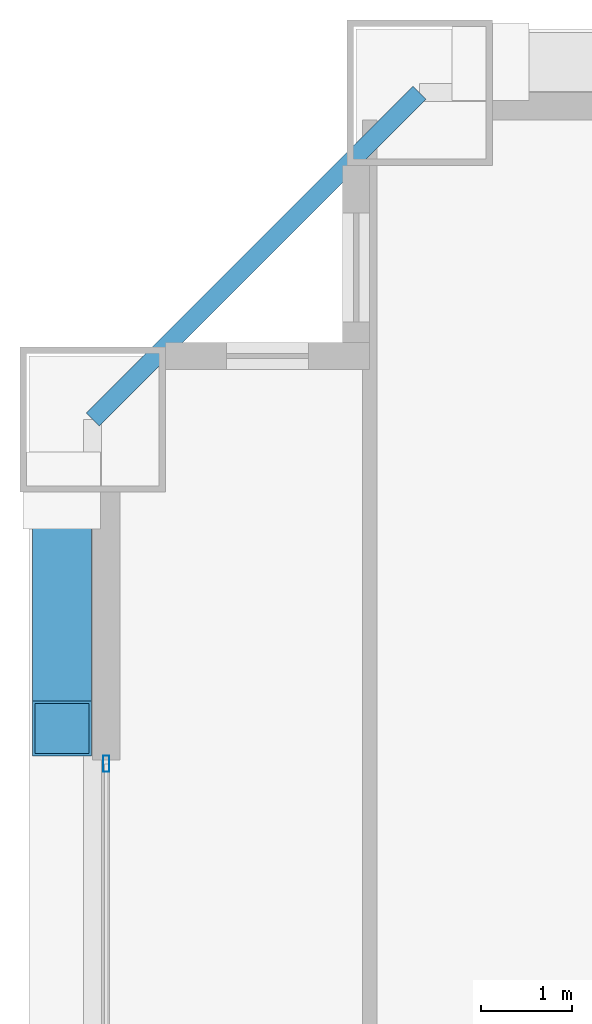
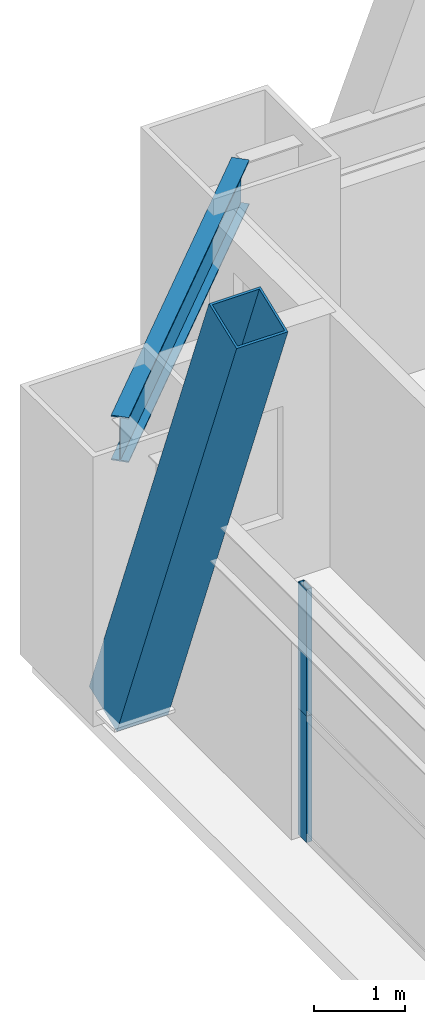
# One storey, part 25 of 43: 3 members, 1 beam, 1 element without a shape of its own.
"""IFC4 building model written with IfcOpenShell, lengths in metres."""

from ifc_helpers import new_model, si_unit, direction, frame, origin, origin_2d, place, context, subcontext, project, spatial, hollow_rectangle, i_section, extrude, source, transform, mapped, material, layer, layer_set, material_profile, profile_set, type_object, element, aggregate, save


model = new_model("IFC4")

# Units and contexts
model_context = context("Model", 3, precision=1e-05, world=origin(), true_north=direction((0.0, 1.0)))
body_context = subcontext(model_context, "Body", "Model", "MODEL_VIEW")
ifc_project = project(units=[si_unit("LENGTHUNIT", "METRE"), si_unit("AREAUNIT", "SQUARE_METRE"), si_unit("VOLUMEUNIT", "CUBIC_METRE"), si_unit("PLANEANGLEUNIT", "RADIAN"), si_unit("MASSUNIT", "GRAM", prefix="KILO"), si_unit("THERMODYNAMICTEMPERATUREUNIT", "KELVIN"), si_unit("POWERUNIT", "WATT")], contexts=[model_context])

# Site, building, storey
site_placement = place(None, origin())
site = spatial("IfcSite", under=ifc_project, at=site_placement, CompositionType="ELEMENT")
building_placement = place(site_placement, origin())
building = spatial("IfcBuilding", under=site, at=building_placement, Name="Yuzanri Waterfront Tower", CompositionType="ELEMENT")
storey_placement = place(building_placement, frame((0.0, 0.0, 108.199951171875)))
storey = spatial("IfcBuildingStorey", under=building, at=storey_placement, Name="L28", CompositionType="ELEMENT", Elevation=108.199951171875)

# Beam
ifc_material_1 = material(Name="Steel Q355B", Category="steel")
ifc_material_profile_1 = material_profile(ifc_material_1, i_section(OverallWidth=0.199951171875, OverallDepth=0.60009765625, WebThickness=0.010986328125, FlangeThickness=0.01708984375, at=origin_2d()), Name="HN 600x200x11x17")
ifc_profile_set_1 = profile_set([ifc_material_profile_1], Name="Steel Q355B")
beam_type = type_object("IfcBeamType", Name="Perimeter Spandrel Q355B HN 600x200", PredefinedType="SPANDREL", material=ifc_profile_set_1)
shared_shape_1 = source(origin(), body_context, "Body", "SweptSolid", [
    extrude(i_section(OverallWidth=0.199951171875, OverallDepth=0.60009765625, WebThickness=0.010986328125, FlangeThickness=0.01708984375, at=origin_2d()), origin(), (0.0, 0.0, 1.0), 5.091064453125),
])
beam_placement = place(storey_placement, frame((17.0, 49.39990234375, 3.080078125), z_axis=(-0.707130757816, -0.707082803744, 0.0), x_axis=(0.707082803744, -0.707130757816, 0.0)))
element("IfcBeam", 1, at=beam_placement, inside=storey, type_object=beam_type, Name="L28 Perimeter Spandrel N1-W3", PredefinedType="SPANDREL", context=body_context, shape_type="MappedRepresentation", body=[
    mapped(shared_shape_1, transform((0.0, 0.0, 0.0), scale=1.0)),
])

# Member
ifc_material_2 = material(Name="Steel Q420GJC", Category="steel")
ifc_material_profile_2 = material_profile(ifc_material_2, hollow_rectangle(XDim=0.64990234375, YDim=0.64990234375, WallThickness=0.028076171875, at=origin_2d()), Name="RHS 650x650x28")
ifc_profile_set_2 = profile_set([ifc_material_profile_2], Name="Steel Q420GJC")
member_type_1 = type_object("IfcMemberType", Name="Mega Brace Lower Q420GJC RHS 650x650x28", PredefinedType="BRACE", material=ifc_profile_set_2)
shared_shape_2 = source(origin(), body_context, "Body", "SweptSolid", [
    extrude(hollow_rectangle(XDim=0.64990234375, YDim=0.64990234375, WallThickness=0.028076171875, at=origin_2d()), origin(), (0.0, 0.0, 1.0), 7.1943359375),
])
member_1_placement = place(storey_placement, frame((13.06005859375, 45.02001953125, 0.179931640625), z_axis=(0.0, -0.364194614794, 0.931322866977), x_axis=(1.0, 0.0, 0.0)))
element("IfcMember", 2, at=member_1_placement, inside=storey, type_object=member_type_1, Name="L28-L29 Perimeter Mega-Brace W-R", PredefinedType="BRACE", context=body_context, shape_type="MappedRepresentation", body=[
    mapped(shared_shape_2, transform((0.0, 0.0, 0.0), scale=1.0)),
])

# Curtain wall, members
ifc_material_3 = material(Name="Anodized Architectural Bronze", Category="metal")
ifc_layer = layer(ifc_material_3, 0.159912109375)
ifc_layer_set = layer_set([ifc_layer], Name="Anodized Architectural Bronze")
curtain_wall_type = type_object("IfcCurtainWallType", Name="Anodized Bronze Hotel Upper-Tier Solar-Control Unitized Curtain Wall 7800", PredefinedType="NOTDEFINED", material=ifc_layer_set)
curtain_wall_placement = place(storey_placement, origin())
curtain_wall = element("IfcCurtainWall", 3, at=curtain_wall_placement, inside=storey, type_object=curtain_wall_type, Name="L28 Curtain Wall CW-L28-WR", PredefinedType="NOTDEFINED")
ifc_material_4 = material(Name="Anodized Architectural Bronze", Category="metal")
ifc_material_profile_3 = material_profile(ifc_material_4, hollow_rectangle(XDim=0.070068359375, YDim=0.179931640625, WallThickness=0.00390625, at=origin_2d()), Name="CWM 70x180")
ifc_profile_set_3 = profile_set([ifc_material_profile_3], Name="Anodized Architectural Bronze")
member_type_2 = type_object("IfcMemberType", Name="Anodized Bronze Standard Curtain-Wall Mullion 70x180", PredefinedType="MULLION", material=ifc_profile_set_3)
shared_shape_3 = source(origin(), body_context, "Body", "SweptSolid", [
    extrude(hollow_rectangle(XDim=0.070068359375, YDim=0.179931640625, WallThickness=0.00390625, at=origin_2d()), origin(), (0.0, 0.0, 1.0), 1.68798828125),
])
member_2_placement = place(storey_placement, frame((13.550048828125, 42.010009765625, 0.0), z_axis=(0.0, 0.0, 1.0), x_axis=(1.0, 0.0, 0.0)))
member_2 = element("IfcMember", 4, at=member_2_placement, type_object=member_type_2, Name="CW-L28-WR Lower Mullion 02", PredefinedType="MULLION", context=body_context, shape_type="MappedRepresentation", body=[
    mapped(shared_shape_3, transform((0.0, 0.0, 0.0), scale=1.0)),
])
member_3_placement = place(storey_placement, frame((13.550048828125, 42.010009765625, 1.692138671875), z_axis=(0.0, 0.0, 1.0), x_axis=(1.0, 0.0, 0.0)))
member_3 = element("IfcMember", 5, at=member_3_placement, type_object=member_type_2, Name="CW-L28-WR Upper Mullion 02", PredefinedType="MULLION", context=body_context, shape_type="MappedRepresentation", body=[
    mapped(shared_shape_3, transform((0.0, 0.0, 0.0), scale=1.0)),
])
aggregate(curtain_wall, [member_2, member_3])

save(model, "model.ifc")
